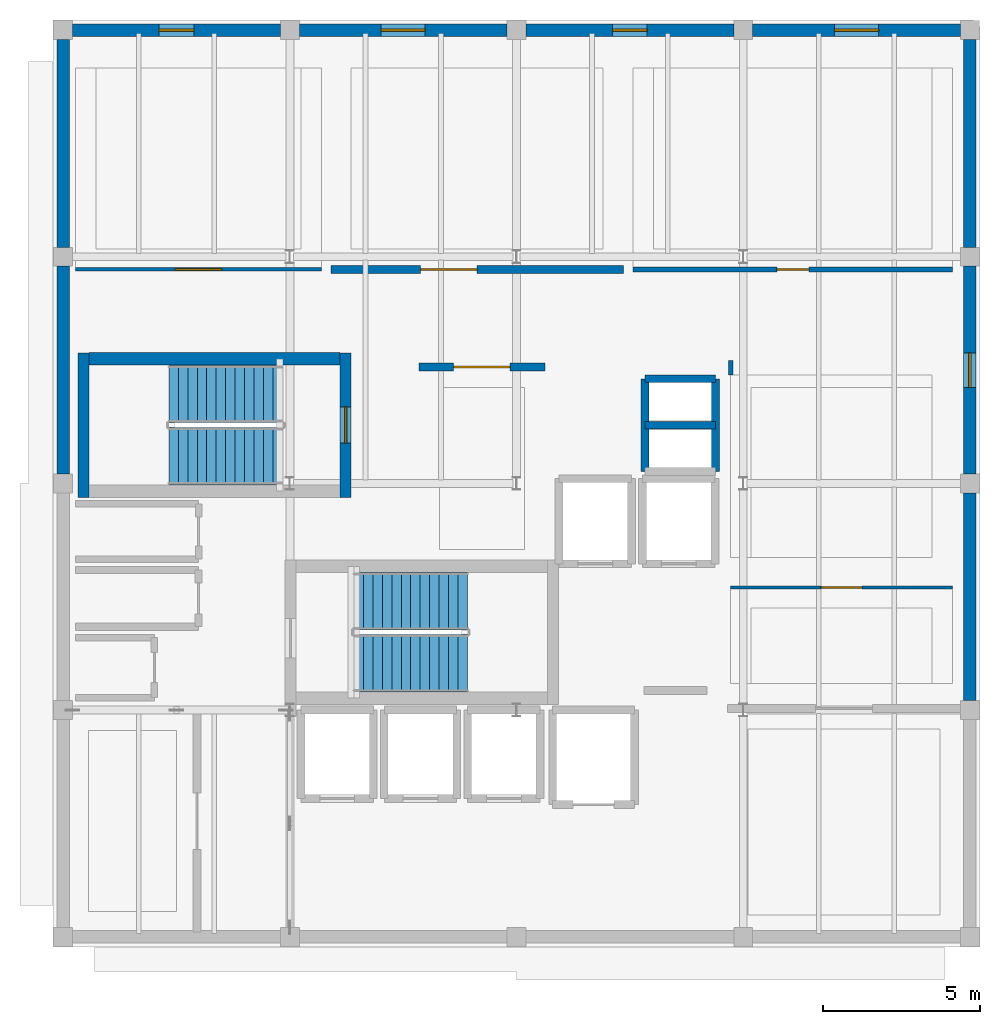
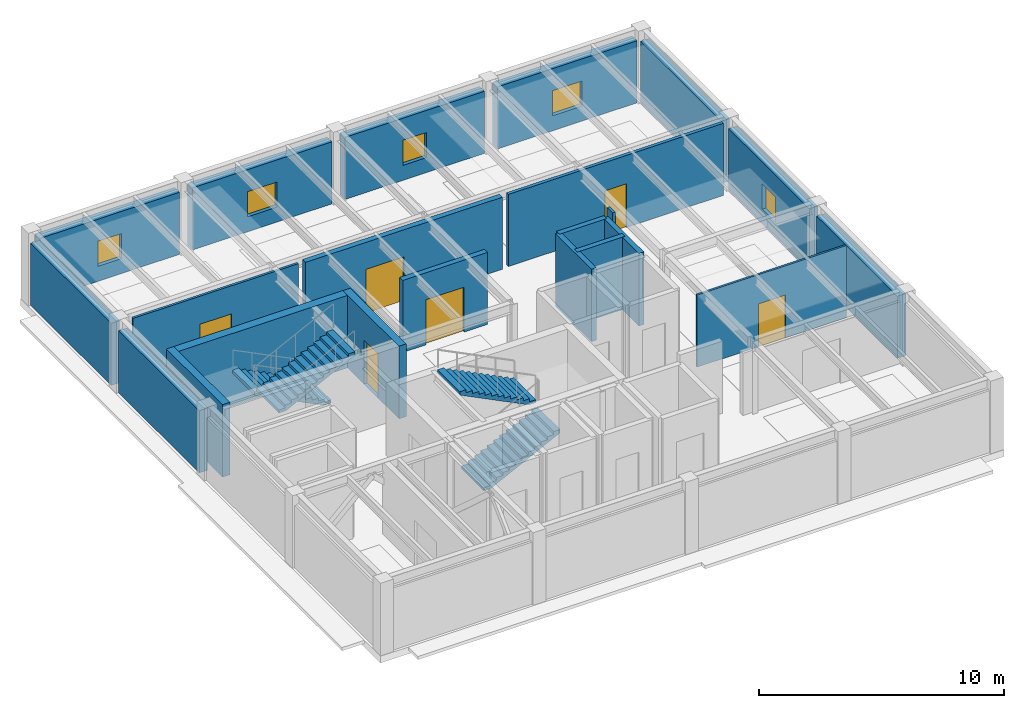
# One storey, part 5 of 8: 22 walls, 6 doors, 5 windows, 4 stair flights, 11 openings, 2 elements without a shape of their own.
"""IFC4 building model written with IfcOpenShell, lengths in metres."""

from ifc_helpers import new_model, si_unit, direction, frame, frame_2d, origin, place, context, subcontext, project, spatial, polyline, rectangle, outline, extrude, material, layer, layer_set, type_object, element, fill, aggregate, save


model = new_model("IFC4")

# Units and contexts
model_context = context("Model", 3, precision=1e-05, world=origin(), true_north=direction((0.0, 1.0)))
body_context = subcontext(model_context, "Body", "Model", "MODEL_VIEW")
ifc_project = project(units=[si_unit("LENGTHUNIT", "METRE"), si_unit("AREAUNIT", "SQUARE_METRE"), si_unit("VOLUMEUNIT", "CUBIC_METRE"), si_unit("PLANEANGLEUNIT", "RADIAN"), si_unit("MASSUNIT", "GRAM", prefix="KILO")], contexts=[model_context])

# Site, building, storey
site_placement = place(None, origin())
site = spatial("IfcSite", under=ifc_project, at=site_placement, CompositionType="ELEMENT")
building_placement = place(site_placement, origin())
building = spatial("IfcBuilding", under=site, at=building_placement, Name="Kandorven Conservatory and Botanical Research Centre", CompositionType="ELEMENT")
storey_placement = place(building_placement, frame((0.0, 0.0, 36.60009765625)))
storey = spatial("IfcBuildingStorey", under=building, at=storey_placement, Name="L09", CompositionType="ELEMENT", Elevation=36.60009765625)

# Wall
ifc_material_1 = material(Name="Concrete C40/50 (M50)", Category="concrete")
ifc_layer_1 = layer(ifc_material_1, 0.39990234375)
ifc_layer_set_1 = layer_set([ifc_layer_1], Name="Concrete C40/50 (M50)")
wall_type_1 = type_object("IfcWallType", Name="Wall_CW-RC-1", PredefinedType="SHEAR", material=ifc_layer_set_1)
wall_1_placement = place(storey_placement, frame((14.800048828125, 24.35498046875, 0.0), z_axis=(0.0, 0.0, 1.0), x_axis=(-1.0, 0.0, 0.0)))
element("IfcWall", 1, at=wall_1_placement, inside=storey, type_object=wall_type_1, Name="Core stair shear wall CW-RC-1 ST-T2 L09 side A", PredefinedType="SHEAR", context=body_context, shape_type="SweptSolid", body=[
    extrude(rectangle(XDim=7.97998046875, YDim=0.39990234375, at=frame_2d((3.989990234375, 0.0))), origin(), (0.0, 0.0, 1.0), 3.619873046875),
])

# Wall, opening, door
ifc_material_2 = material(Name="Concrete C40/50 (M50)", Category="concrete")
ifc_layer_2 = layer(ifc_material_2, 0.35009765625)
ifc_layer_set_2 = layer_set([ifc_layer_2], Name="Concrete C40/50 (M50)")
wall_type_2 = type_object("IfcWallType", Name="Wall_CW-RC-2", PredefinedType="SHEAR", material=ifc_layer_set_2)
wall_2_placement = place(storey_placement, frame((14.97509765625, 24.550048828125, 0.0), z_axis=(0.0, 0.0, 1.0), x_axis=(0.0, -1.0, 0.0)))
wall_2 = element("IfcWall", 2, at=wall_2_placement, inside=storey, type_object=wall_type_2, Name="Core stair shear wall CW-RC-2 ST-T2 L09 entry", PredefinedType="SHEAR", context=body_context, shape_type="SweptSolid", body=[
    extrude(rectangle(XDim=4.590087890625, YDim=0.35009765625, at=frame_2d((2.294921875, 0.0))), origin(), (0.0, 0.0, 1.0), 3.619873046875),
])
opening_1_placement = place(wall_2_placement, frame((1.719970703125, 0.0, 0.0)))
opening_1 = element("IfcOpeningElement", 3, at=opening_1_placement, cuts=wall_2, Name="Opening FD-2", PredefinedType="OPENING", context=body_context, shape_type="SweptSolid", body=[
    extrude(rectangle(XDim=1.14990234375, YDim=2.199951171875, at=frame_2d((0.574951171875, 1.10009765625))), frame((0.0, 0.18505859375, 0.0), z_axis=(0.0, -1.0, 0.0), x_axis=(1.0, 0.0, 0.0)), (0.0, 0.0, 1.0), 0.3701171875),
])
ifc_material_3 = material(Name="Galvanised hollow steel fire door assembly", Category="steel")
door_type_1 = type_object("IfcDoorType", Name="Door_FD-2", OperationType="NOTDEFINED", PredefinedType="DOOR", material=ifc_material_3)
door_1_placement = place(opening_1_placement, origin())
door_1 = element("IfcDoor", 4, at=door_1_placement, inside=storey, type_object=door_type_1, Name="Exit stair fire door FD-2 ST-T2 L09", OperationType="SINGLE_SWING_RIGHT", OverallHeight=2.199951171875, OverallWidth=1.14990234375, PredefinedType="DOOR", context=body_context, shape_type="SweptSolid", body=[
    extrude(rectangle(XDim=1.14990234375, YDim=2.199951171875, at=frame_2d((0.574951171875, 1.10009765625))), frame((0.0, 0.02490234375, 0.0), z_axis=(0.0, -1.0, 0.0), x_axis=(1.0, 0.0, 0.0)), (0.0, 0.0, 1.0), 0.050048828125),
])
fill(opening_1, door_1)

# Walls
wall_3_placement = place(storey_placement, frame((6.64501953125, 24.550048828125, 0.0), z_axis=(0.0, 0.0, 1.0), x_axis=(0.0, -1.0, 0.0)))
element("IfcWall", 5, at=wall_3_placement, inside=storey, type_object=wall_type_2, Name="Core stair shear wall CW-RC-2 ST-T2 L09 far", PredefinedType="SHEAR", context=body_context, shape_type="SweptSolid", body=[
    extrude(rectangle(XDim=4.590087890625, YDim=0.35009765625, at=frame_2d((2.294921875, 0.0))), origin(), (0.0, 0.0, 1.0), 3.619873046875),
])
for number, where, z_axis, x_axis, name in (
    (6, (24.47998046875, 22.25, 0.0), (0.0, 0.0, 1.0), (1.0, 0.0, 0.0), "Core MEP riser shaft wall CW-RC-2 L09 M"),
    (7, (24.47998046875, 23.719970703125, 0.0), (0.0, 0.0, 1.0), (1.0, 0.0, 0.0), "Core MEP riser shaft wall CW-RC-2 L09 N"),
):
    element("IfcWall", number, at=place(storey_placement, frame(where, z_axis=z_axis, x_axis=x_axis)), inside=storey, type_object=wall_type_2, Name=name, PredefinedType="SHEAR", context=body_context, shape_type="SweptSolid", body=[
        extrude(rectangle(XDim=2.239990234375, YDim=0.239990234375, at=frame_2d((1.1201171875, 0.0))), origin(), (0.0, 0.0, 1.0), 3.619873046875),
    ])
for number, where, z_axis, x_axis, name in (
    (8, (24.47998046875, 20.780029296875, 0.0), (0.0, 0.0, 1.0), (0.0, 1.0, 0.0), "Core MEP riser shaft wall CW-RC-2 L09 W"),
    (9, (26.719970703125, 20.780029296875, 0.0), (0.0, 0.0, 1.0), (0.0, 1.0, 0.0), "Core MEP riser shaft wall CW-RC-2 L09 E"),
):
    element("IfcWall", number, at=place(storey_placement, frame(where, z_axis=z_axis, x_axis=x_axis)), inside=storey, type_object=wall_type_2, Name=name, PredefinedType="SHEAR", context=body_context, shape_type="SweptSolid", body=[
        extrude(rectangle(XDim=2.93994140625, YDim=0.239990234375, at=frame_2d((1.469970703125, 0.0))), origin(), (0.0, 0.0, 1.0), 3.619873046875),
    ])

# Wall, opening, window
ifc_material_4 = material(Name="Concrete C40/50 (M50)", Category="concrete")
ifc_layer_3 = layer(ifc_material_4, 0.39990234375)
ifc_layer_set_3 = layer_set([ifc_layer_3], Name="Concrete C40/50 (M50)")
wall_type_3 = type_object("IfcWallType", Name="Wall_EW-HB-01", PredefinedType="STANDARD", material=ifc_layer_set_3)
wall_4_placement = place(storey_placement, frame((6.300048828125, 34.800048828125, 0.0), z_axis=(0.0, 0.0, 1.0), x_axis=(1.0, 0.0, 0.0)))
wall_4 = element("IfcWall", 10, at=wall_4_placement, inside=storey, type_object=wall_type_3, Name="Tower concrete facade wall EW-HB-01 N L09", PredefinedType="STANDARD", context=body_context, shape_type="SweptSolid", body=[
    extrude(rectangle(XDim=6.599853515625, YDim=0.39990234375, at=frame_2d((3.2998046875, 0.0))), origin(), (0.0, 0.0, 1.0), 3.099853515625),
])
opening_2_placement = place(wall_4_placement, frame((2.75, 0.0, 0.75)))
opening_2 = element("IfcOpeningElement", 11, at=opening_2_placement, cuts=wall_4, Name="Opening W-45", PredefinedType="OPENING", context=body_context, shape_type="SweptSolid", body=[
    extrude(rectangle(XDim=1.10009765625, YDim=1.25, at=frame_2d((0.550048828125, 0.625))), frame((0.0, 0.2099609375, 0.0), z_axis=(0.0, -1.0, 0.0), x_axis=(1.0, 0.0, 0.0)), (0.0, 0.0, 1.0), 0.419921875),
])
ifc_material_5 = material(Name="Double-glazed solar-control low-E glass", Category="glass")
window_type_1 = type_object("IfcWindowType", Name="Win_W-45", PartitioningType="DOUBLE_PANEL_VERTICAL", PredefinedType="WINDOW", material=ifc_material_5)
window_1_placement = place(opening_2_placement, origin())
window_1 = element("IfcWindow", 12, at=window_1_placement, inside=storey, type_object=window_type_1, Name="Tower recessed solar window W-45", OverallHeight=1.25, OverallWidth=1.10009765625, PartitioningType="SINGLE_PANEL", PredefinedType="WINDOW", context=body_context, shape_type="SweptSolid", body=[
    extrude(rectangle(XDim=1.10009765625, YDim=1.25, at=frame_2d((0.550048828125, 0.625))), frame((0.0, 0.030029296875, 0.0), z_axis=(0.0, -1.0, 0.0), x_axis=(1.0, 0.0, 0.0)), (0.0, 0.0, 1.0), 0.06005859375),
])
fill(opening_2, window_1)

wall_5_placement = place(storey_placement, frame((13.5, 34.800048828125, 0.0), z_axis=(0.0, 0.0, 1.0), x_axis=(1.0, 0.0, 0.0)))
wall_5 = element("IfcWall", 13, at=wall_5_placement, inside=storey, type_object=wall_type_3, Name="Tower concrete facade wall EW-HB-01 N L09", PredefinedType="STANDARD", context=body_context, shape_type="SweptSolid", body=[
    extrude(rectangle(XDim=6.60009765625, YDim=0.39990234375, at=frame_2d((3.300048828125, 0.0))), origin(), (0.0, 0.0, 1.0), 3.099853515625),
])
opening_3_placement = place(wall_5_placement, frame((2.60009765625, 0.0, 0.75)))
opening_3 = element("IfcOpeningElement", 14, at=opening_3_placement, cuts=wall_5, Name="Opening W-46", PredefinedType="OPENING", context=body_context, shape_type="SweptSolid", body=[
    extrude(rectangle(XDim=1.39990234375, YDim=1.25, at=frame_2d((0.699951171875, 0.625))), frame((0.0, 0.2099609375, 0.0), z_axis=(0.0, -1.0, 0.0), x_axis=(1.0, 0.0, 0.0)), (0.0, 0.0, 1.0), 0.419921875),
])
ifc_material_6 = material(Name="Double-glazed solar-control low-E glass", Category="glass")
window_type_2 = type_object("IfcWindowType", Name="Win_W-46", PartitioningType="DOUBLE_PANEL_VERTICAL", PredefinedType="WINDOW", material=ifc_material_6)
window_2_placement = place(opening_3_placement, origin())
window_2 = element("IfcWindow", 15, at=window_2_placement, inside=storey, type_object=window_type_2, Name="Tower recessed solar window W-46", OverallHeight=1.25, OverallWidth=1.39990234375, PartitioningType="SINGLE_PANEL", PredefinedType="WINDOW", context=body_context, shape_type="SweptSolid", body=[
    extrude(rectangle(XDim=1.39990234375, YDim=1.25, at=frame_2d((0.699951171875, 0.625))), frame((0.0, 0.030029296875, 0.0), z_axis=(0.0, -1.0, 0.0), x_axis=(1.0, 0.0, 0.0)), (0.0, 0.0, 1.0), 0.06005859375),
])
fill(opening_3, window_2)

wall_6_placement = place(storey_placement, frame((20.699951171875, 34.800048828125, 0.0), z_axis=(0.0, 0.0, 1.0), x_axis=(1.0, 0.0, 0.0)))
wall_6 = element("IfcWall", 16, at=wall_6_placement, inside=storey, type_object=wall_type_3, Name="Tower concrete facade wall EW-HB-01 N L09", PredefinedType="STANDARD", context=body_context, shape_type="SweptSolid", body=[
    extrude(rectangle(XDim=6.60009765625, YDim=0.39990234375, at=frame_2d((3.300048828125, 0.0))), origin(), (0.0, 0.0, 1.0), 3.099853515625),
])
opening_4_placement = place(wall_6_placement, frame((2.75, 0.0, 0.75)))
opening_4 = element("IfcOpeningElement", 17, at=opening_4_placement, cuts=wall_6, Name="Opening W-45", PredefinedType="OPENING", context=body_context, shape_type="SweptSolid", body=[
    extrude(rectangle(XDim=1.10009765625, YDim=1.25, at=frame_2d((0.550048828125, 0.625))), frame((0.0, 0.2099609375, 0.0), z_axis=(0.0, -1.0, 0.0), x_axis=(1.0, 0.0, 0.0)), (0.0, 0.0, 1.0), 0.419921875),
])
window_3_placement = place(opening_4_placement, origin())
window_3 = element("IfcWindow", 18, at=window_3_placement, inside=storey, type_object=window_type_1, Name="Tower recessed solar window W-45", OverallHeight=1.25, OverallWidth=1.10009765625, PartitioningType="SINGLE_PANEL", PredefinedType="WINDOW", context=body_context, shape_type="SweptSolid", body=[
    extrude(rectangle(XDim=1.10009765625, YDim=1.25, at=frame_2d((0.550048828125, 0.625))), frame((0.0, 0.030029296875, 0.0), z_axis=(0.0, -1.0, 0.0), x_axis=(1.0, 0.0, 0.0)), (0.0, 0.0, 1.0), 0.06005859375),
])
fill(opening_4, window_3)

wall_7_placement = place(storey_placement, frame((27.89990234375, 34.800048828125, 0.0), z_axis=(0.0, 0.0, 1.0), x_axis=(1.0, 0.0, 0.0)))
wall_7 = element("IfcWall", 19, at=wall_7_placement, inside=storey, type_object=wall_type_3, Name="Tower concrete facade wall EW-HB-01 N L09", PredefinedType="STANDARD", context=body_context, shape_type="SweptSolid", body=[
    extrude(rectangle(XDim=6.60009765625, YDim=0.39990234375, at=frame_2d((3.300048828125, 0.0))), origin(), (0.0, 0.0, 1.0), 3.099853515625),
])
opening_5_placement = place(wall_7_placement, frame((2.60009765625, 0.0, 0.75)))
opening_5 = element("IfcOpeningElement", 20, at=opening_5_placement, cuts=wall_7, Name="Opening W-46", PredefinedType="OPENING", context=body_context, shape_type="SweptSolid", body=[
    extrude(rectangle(XDim=1.39990234375, YDim=1.25, at=frame_2d((0.699951171875, 0.625))), frame((0.0, 0.2099609375, 0.0), z_axis=(0.0, -1.0, 0.0), x_axis=(1.0, 0.0, 0.0)), (0.0, 0.0, 1.0), 0.419921875),
])
window_4_placement = place(opening_5_placement, origin())
window_4 = element("IfcWindow", 21, at=window_4_placement, inside=storey, type_object=window_type_2, Name="Tower recessed solar window W-46", OverallHeight=1.25, OverallWidth=1.39990234375, PartitioningType="SINGLE_PANEL", PredefinedType="WINDOW", context=body_context, shape_type="SweptSolid", body=[
    extrude(rectangle(XDim=1.39990234375, YDim=1.25, at=frame_2d((0.699951171875, 0.625))), frame((0.0, 0.030029296875, 0.0), z_axis=(0.0, -1.0, 0.0), x_axis=(1.0, 0.0, 0.0)), (0.0, 0.0, 1.0), 0.06005859375),
])
fill(opening_5, window_4)

# Walls
for number, where, z_axis, x_axis, name in (
    (22, (6.0, 20.699951171875, 0.0), (0.0, 0.0, 1.0), (0.0, 1.0, 0.0), "Tower concrete facade wall EW-HB-01 W L09"),
    (23, (6.0, 27.89990234375, 0.0), (0.0, 0.0, 1.0), (0.0, 1.0, 0.0), "Tower concrete facade wall EW-HB-01 W L09"),
    (24, (34.800048828125, 13.5, 0.0), (0.0, 0.0, 1.0), (0.0, 1.0, 0.0), "Tower concrete facade wall EW-HB-01 E L09"),
):
    element("IfcWall", number, at=place(storey_placement, frame(where, z_axis=z_axis, x_axis=x_axis)), inside=storey, type_object=wall_type_3, Name=name, PredefinedType="STANDARD", context=body_context, shape_type="SweptSolid", body=[
        extrude(rectangle(XDim=6.60009765625, YDim=0.39990234375, at=frame_2d((3.300048828125, 0.0))), origin(), (0.0, 0.0, 1.0), 3.099853515625),
    ])

# Wall, opening, window
wall_8_placement = place(storey_placement, frame((34.800048828125, 20.699951171875, 0.0), z_axis=(0.0, 0.0, 1.0), x_axis=(0.0, 1.0, 0.0)))
wall_8 = element("IfcWall", 25, at=wall_8_placement, inside=storey, type_object=wall_type_3, Name="Tower concrete facade wall EW-HB-01 E L09", PredefinedType="STANDARD", context=body_context, shape_type="SweptSolid", body=[
    extrude(rectangle(XDim=6.60009765625, YDim=0.39990234375, at=frame_2d((3.300048828125, 0.0))), origin(), (0.0, 0.0, 1.0), 3.099853515625),
])
opening_6_placement = place(wall_8_placement, frame((2.75, 0.0, 0.75)))
opening_6 = element("IfcOpeningElement", 26, at=opening_6_placement, cuts=wall_8, Name="Opening W-45", PredefinedType="OPENING", context=body_context, shape_type="SweptSolid", body=[
    extrude(rectangle(XDim=1.10009765625, YDim=1.25, at=frame_2d((0.550048828125, 0.625))), frame((0.0, 0.2099609375, 0.0), z_axis=(0.0, -1.0, 0.0), x_axis=(1.0, 0.0, 0.0)), (0.0, 0.0, 1.0), 0.419921875),
])
window_5_placement = place(opening_6_placement, origin())
window_5 = element("IfcWindow", 27, at=window_5_placement, inside=storey, type_object=window_type_1, Name="Tower recessed solar window W-45", OverallHeight=1.25, OverallWidth=1.10009765625, PartitioningType="SINGLE_PANEL", PredefinedType="WINDOW", context=body_context, shape_type="SweptSolid", body=[
    extrude(rectangle(XDim=1.10009765625, YDim=1.25, at=frame_2d((0.550048828125, 0.625))), frame((0.0, 0.030029296875, 0.0), z_axis=(0.0, -1.0, 0.0), x_axis=(1.0, 0.0, 0.0)), (0.0, 0.0, 1.0), 0.06005859375),
])
fill(opening_6, window_5)

# Wall
wall_9_placement = place(storey_placement, frame((34.800048828125, 27.89990234375, 0.0), z_axis=(0.0, 0.0, 1.0), x_axis=(0.0, 1.0, 0.0)))
element("IfcWall", 28, at=wall_9_placement, inside=storey, type_object=wall_type_3, Name="Tower concrete facade wall EW-HB-01 E L09", PredefinedType="STANDARD", context=body_context, shape_type="SweptSolid", body=[
    extrude(rectangle(XDim=6.60009765625, YDim=0.39990234375, at=frame_2d((3.300048828125, 0.0))), origin(), (0.0, 0.0, 1.0), 3.099853515625),
])

# Wall, opening, door
ifc_material_7 = material(Name="Fire-rated acoustic gypsum board partition", Category="gypsum")
ifc_layer_4 = layer(ifc_material_7, 0.10009765625)
ifc_layer_set_4 = layer_set([ifc_layer_4], Name="Fire-rated acoustic gypsum board partition")
wall_type_4 = type_object("IfcWallType", Name="Wall_IW-10", PredefinedType="PARTITIONING", material=ifc_layer_set_4)
wall_10_placement = place(storey_placement, frame((27.199951171875, 17.10009765625, 0.0), z_axis=(0.0, 0.0, 1.0), x_axis=(1.0, 0.0, 0.0)))
wall_10 = element("IfcWall", 29, at=wall_10_placement, inside=storey, type_object=wall_type_4, Name="Interior partition wall IW-10 (Flora Taxonomy Microscopy Laboratory L09)", PredefinedType="PARTITIONING", context=body_context, shape_type="SweptSolid", body=[
    extrude(rectangle(XDim=7.050048828125, YDim=0.10009765625, at=frame_2d((3.52490234375, 0.0))), origin(), (0.0, 0.0, 1.0), 3.599853515625),
])
opening_7_placement = place(wall_10_placement, frame((2.885009765625, 0.0, 0.0)))
opening_7 = element("IfcOpeningElement", 30, at=opening_7_placement, cuts=wall_10, Name="Opening D-15", PredefinedType="OPENING", context=body_context, shape_type="SweptSolid", body=[
    extrude(rectangle(XDim=1.280029296875, YDim=2.14990234375, at=frame_2d((0.64013671875, 1.074951171875))), frame((0.0, 0.06005859375, 0.0), z_axis=(0.0, -1.0, 0.0), x_axis=(1.0, 0.0, 0.0)), (0.0, 0.0, 1.0), 0.1201171875),
])
ifc_material_8 = material(Name="Solid core acoustic teak-veneered timber leaf", Category="wood")
door_type_2 = type_object("IfcDoorType", Name="Door_D-15", OperationType="NOTDEFINED", PredefinedType="DOOR", material=ifc_material_8)
door_2_placement = place(opening_7_placement, origin())
door_2 = element("IfcDoor", 31, at=door_2_placement, inside=storey, type_object=door_type_2, Name="Interior door D-15 to Flora Taxonomy Microscopy Laboratory L09", OperationType="SINGLE_SWING_LEFT", OverallHeight=2.14990234375, OverallWidth=1.280029296875, PredefinedType="DOOR", context=body_context, shape_type="SweptSolid", body=[
    extrude(rectangle(XDim=1.280029296875, YDim=2.14990234375, at=frame_2d((0.64013671875, 1.074951171875))), frame((0.0, 0.02490234375, 0.0), z_axis=(0.0, -1.0, 0.0), x_axis=(1.0, 0.0, 0.0)), (0.0, 0.0, 1.0), 0.050048828125),
])
fill(opening_7, door_2)

ifc_material_9 = material(Name="Fire-rated acoustic gypsum board partition", Category="gypsum")
ifc_layer_5 = layer(ifc_material_9, 0.114013671875)
ifc_layer_set_5 = layer_set([ifc_layer_5], Name="Fire-rated acoustic gypsum board partition")
wall_type_5 = type_object("IfcWallType", Name="Wall_IW-12", PredefinedType="PARTITIONING", material=ifc_layer_set_5)
wall_11_placement = place(storey_placement, frame((6.39990234375, 27.199951171875, 0.0), z_axis=(0.0, 0.0, 1.0), x_axis=(1.0, 0.0, 0.0)))
wall_11 = element("IfcWall", 32, at=wall_11_placement, inside=storey, type_object=wall_type_5, Name="Interior partition wall IW-12 (Ethnobotany Field Specimen Studio L09)", PredefinedType="PARTITIONING", context=body_context, shape_type="SweptSolid", body=[
    extrude(rectangle(XDim=7.800048828125, YDim=0.114013671875, at=frame_2d((3.89990234375, 0.0))), origin(), (0.0, 0.0, 1.0), 3.599853515625),
])
opening_8_placement = place(wall_11_placement, frame((3.159912109375, 0.0, 0.0)))
opening_8 = element("IfcOpeningElement", 33, at=opening_8_placement, cuts=wall_11, Name="Opening D-17", PredefinedType="OPENING", context=body_context, shape_type="SweptSolid", body=[
    extrude(rectangle(XDim=1.47998046875, YDim=2.199951171875, at=frame_2d((0.739990234375, 1.10009765625))), frame((0.0, 0.06689453125, 0.0), z_axis=(0.0, -1.0, 0.0), x_axis=(1.0, 0.0, 0.0)), (0.0, 0.0, 1.0), 0.134033203125),
])
ifc_material_10 = material(Name="Solid core acoustic teak-veneered timber leaf", Category="wood")
door_type_3 = type_object("IfcDoorType", Name="Door_D-17", OperationType="NOTDEFINED", PredefinedType="DOOR", material=ifc_material_10)
door_3_placement = place(opening_8_placement, frame((1.47998046875, 0.0, 0.0), z_axis=(0.0, 0.0, 1.0), x_axis=(-1.0, 0.0, 0.0)))
door_3 = element("IfcDoor", 34, at=door_3_placement, inside=storey, type_object=door_type_3, Name="Interior door D-17 to Ethnobotany Field Specimen Studio L09", OperationType="SINGLE_SWING_LEFT", OverallHeight=2.199951171875, OverallWidth=1.47998046875, PredefinedType="DOOR", context=body_context, shape_type="SweptSolid", body=[
    extrude(rectangle(XDim=1.47998046875, YDim=2.199951171875, at=frame_2d((0.739990234375, 1.10009765625))), frame((0.0, 0.02490234375, 0.0), z_axis=(0.0, -1.0, 0.0), x_axis=(1.0, 0.0, 0.0)), (0.0, 0.0, 1.0), 0.050048828125),
])
fill(opening_8, door_3)

# Wall
ifc_material_11 = material(Name="Fire-rated acoustic gypsum board partition", Category="gypsum")
ifc_layer_6 = layer(ifc_material_11, 0.135986328125)
ifc_layer_set_6 = layer_set([ifc_layer_6], Name="Fire-rated acoustic gypsum board partition")
wall_type_6 = type_object("IfcWallType", Name="Wall_IW-14", PredefinedType="PARTITIONING", material=ifc_layer_set_6)
wall_12_placement = place(storey_placement, frame((27.199951171875, 24.300048828125, 0.0), z_axis=(0.0, 0.0, 1.0), x_axis=(0.0, -1.0, 0.0)))
element("IfcWall", 35, at=wall_12_placement, inside=storey, type_object=wall_type_6, Name="Interior partition wall IW-14 (Herbarium Digitisation and Imaging Studio L09)", PredefinedType="PARTITIONING", context=body_context, shape_type="SweptSolid", body=[
    extrude(rectangle(XDim=0.449951171875, YDim=0.135986328125, at=frame_2d((0.22509765625, 0.0))), origin(), (0.0, 0.0, 1.0), 3.599853515625),
])

# Wall, opening, door
ifc_material_12 = material(Name="Autoclaved aerated concrete blockwork masonry", Category="masonry")
ifc_layer_7 = layer(ifc_material_12, 0.157958984375)
ifc_layer_set_7 = layer_set([ifc_layer_7], Name="Autoclaved aerated concrete blockwork masonry")
wall_type_7 = type_object("IfcWallType", Name="Wall_IW-16", PredefinedType="PARTITIONING", material=ifc_layer_set_7)
wall_13_placement = place(storey_placement, frame((24.10009765625, 27.199951171875, 0.0), z_axis=(0.0, 0.0, 1.0), x_axis=(1.0, 0.0, 0.0)))
wall_13 = element("IfcWall", 36, at=wall_13_placement, inside=storey, type_object=wall_type_7, Name="Interior partition wall IW-16 (Palynology Research Laboratory L09)", PredefinedType="PARTITIONING", context=body_context, shape_type="SweptSolid", body=[
    extrude(rectangle(XDim=10.14990234375, YDim=0.157958984375, at=frame_2d((5.074951171875, 0.0))), origin(), (0.0, 0.0, 1.0), 3.599853515625),
])
opening_9_placement = place(wall_13_placement, frame((4.56494140625, 0.0, 0.0)))
opening_9 = element("IfcOpeningElement", 37, at=opening_9_placement, cuts=wall_13, Name="Opening D-21", PredefinedType="OPENING", context=body_context, shape_type="SweptSolid", body=[
    extrude(rectangle(XDim=1.02001953125, YDim=2.179931640625, at=frame_2d((0.510009765625, 1.08984375))), frame((0.0, 0.0888671875, 0.0), z_axis=(0.0, -1.0, 0.0), x_axis=(1.0, 0.0, 0.0)), (0.0, 0.0, 1.0), 0.177978515625),
])
ifc_material_13 = material(Name="Solid core acoustic teak-veneered timber leaf", Category="wood")
door_type_4 = type_object("IfcDoorType", Name="Door_D-21", OperationType="NOTDEFINED", PredefinedType="DOOR", material=ifc_material_13)
door_4_placement = place(opening_9_placement, origin())
door_4 = element("IfcDoor", 38, at=door_4_placement, inside=storey, type_object=door_type_4, Name="Interior door D-21 to Palynology Research Laboratory L09", OperationType="SINGLE_SWING_LEFT", OverallHeight=2.179931640625, OverallWidth=1.02001953125, PredefinedType="DOOR", context=body_context, shape_type="SweptSolid", body=[
    extrude(rectangle(XDim=1.02001953125, YDim=2.179931640625, at=frame_2d((0.510009765625, 1.08984375))), frame((0.0, 0.02490234375, 0.0), z_axis=(0.0, -1.0, 0.0), x_axis=(1.0, 0.0, 0.0)), (0.0, 0.0, 1.0), 0.050048828125),
])
fill(opening_9, door_4)

ifc_material_14 = material(Name="Concrete C32/40 (M40)", Category="concrete")
ifc_layer_8 = layer(ifc_material_14, 0.25)
ifc_layer_set_8 = layer_set([ifc_layer_8], Name="Concrete C32/40 (M40)")
wall_type_8 = type_object("IfcWallType", Name="Wall_IW-FR-1", PredefinedType="SOLIDWALL", material=ifc_layer_set_8)
wall_14_placement = place(storey_placement, frame((17.300048828125, 24.10009765625, 0.0), z_axis=(0.0, 0.0, 1.0), x_axis=(1.0, 0.0, 0.0)))
wall_14 = element("IfcWall", 39, at=wall_14_placement, inside=storey, type_object=wall_type_8, Name="Interior fire partition wall IW-FR-1 (Herbarium Bryophyte Collection Vault L09)", PredefinedType="SOLIDWALL", context=body_context, shape_type="SweptSolid", body=[
    extrude(rectangle(XDim=4.0, YDim=0.25, at=frame_2d((2.0, 0.0))), origin(), (0.0, 0.0, 1.0), 3.599853515625),
])
opening_10_placement = place(wall_14_placement, frame((1.10009765625, 0.0, 0.0)))
opening_10 = element("IfcOpeningElement", 40, at=opening_10_placement, cuts=wall_14, Name="Opening FD-4", PredefinedType="OPENING", context=body_context, shape_type="SweptSolid", body=[
    extrude(rectangle(XDim=1.800048828125, YDim=2.25, at=frame_2d((0.89990234375, 1.125))), frame((0.0, 0.135009765625, 0.0), z_axis=(0.0, -1.0, 0.0), x_axis=(1.0, 0.0, 0.0)), (0.0, 0.0, 1.0), 0.27001953125),
])
ifc_material_15 = material(Name="Galvanised hollow steel fire door assembly", Category="steel")
door_type_5 = type_object("IfcDoorType", Name="Door_FD-4", OperationType="NOTDEFINED", PredefinedType="DOOR", material=ifc_material_15)
door_5_placement = place(opening_10_placement, frame((1.800048828125, 0.0, 0.0), z_axis=(0.0, 0.0, 1.0), x_axis=(-1.0, 0.0, 0.0)))
door_5 = element("IfcDoor", 41, at=door_5_placement, inside=storey, type_object=door_type_5, Name="Interior door FD-4 to Herbarium Bryophyte Collection Vault L09", OperationType="DOUBLE_DOOR_SINGLE_SWING", OverallHeight=2.25, OverallWidth=1.800048828125, PredefinedType="DOOR", context=body_context, shape_type="SweptSolid", body=[
    extrude(rectangle(XDim=1.800048828125, YDim=2.25, at=frame_2d((0.89990234375, 1.125))), frame((0.0, 0.02490234375, 0.0), z_axis=(0.0, -1.0, 0.0), x_axis=(1.0, 0.0, 0.0)), (0.0, 0.0, 1.0), 0.050048828125),
])
fill(opening_10, door_5)

wall_15_placement = place(storey_placement, frame((14.5, 27.199951171875, 0.0), z_axis=(0.0, 0.0, 1.0), x_axis=(1.0, 0.0, 0.0)))
wall_15 = element("IfcWall", 42, at=wall_15_placement, inside=storey, type_object=wall_type_8, Name="Interior fire partition wall IW-FR-1 (Herbarium Cryptogamic Collection Archive L09)", PredefinedType="SOLIDWALL", context=body_context, shape_type="SweptSolid", body=[
    extrude(rectangle(XDim=9.300048828125, YDim=0.25, at=frame_2d((4.64990234375, 0.0))), origin(), (0.0, 0.0, 1.0), 3.599853515625),
])
opening_11_placement = place(wall_15_placement, frame((2.85009765625, 0.0, 0.0)))
opening_11 = element("IfcOpeningElement", 43, at=opening_11_placement, cuts=wall_15, Name="Opening FD-4", PredefinedType="OPENING", context=body_context, shape_type="SweptSolid", body=[
    extrude(rectangle(XDim=1.800048828125, YDim=2.25, at=frame_2d((0.89990234375, 1.125))), frame((0.0, 0.135009765625, 0.0), z_axis=(0.0, -1.0, 0.0), x_axis=(1.0, 0.0, 0.0)), (0.0, 0.0, 1.0), 0.27001953125),
])
door_6_placement = place(opening_11_placement, frame((1.800048828125, 0.0, 0.0), z_axis=(0.0, 0.0, 1.0), x_axis=(-1.0, 0.0, 0.0)))
door_6 = element("IfcDoor", 44, at=door_6_placement, inside=storey, type_object=door_type_5, Name="Interior door FD-4 to Herbarium Cryptogamic Collection Archive L09", OperationType="DOUBLE_DOOR_SINGLE_SWING", OverallHeight=2.25, OverallWidth=1.800048828125, PredefinedType="DOOR", context=body_context, shape_type="SweptSolid", body=[
    extrude(rectangle(XDim=1.800048828125, YDim=2.25, at=frame_2d((0.89990234375, 1.125))), frame((0.0, 0.02490234375, 0.0), z_axis=(0.0, -1.0, 0.0), x_axis=(1.0, 0.0, 0.0)), (0.0, 0.0, 1.0), 0.050048828125),
])
fill(opening_11, door_6)

# Stair, stair flights
ifc_material_16 = material(Name="Concrete C32/40 (M40)", Category="concrete")
stair_type = type_object("IfcStairType", Name="Stair_1820", PredefinedType="HALF_TURN_STAIR", material=ifc_material_16)
stair_1_placement = place(storey_placement, origin())
stair_1 = element("IfcStair", 45, at=stair_1_placement, inside=storey, type_object=stair_type, Name="L09 Tower Fire Stair ST-T1", PredefinedType="HALF_TURN_STAIR")
ifc_material_17 = material(Name="Concrete C32/40 (M40)", Category="concrete")
ifc_layer_9 = layer(ifc_material_17, 0.14990234375)
ifc_layer_set_9 = layer_set([ifc_layer_9], Name="Concrete C32/40 (M40)")
stair_flight_type = type_object("IfcStairFlightType", Name="Flight_1820", PredefinedType="STRAIGHT", material=ifc_layer_set_9)
stair_flight_1_placement = place(storey_placement, frame((15.239990234375, 14.68994140625, 0.0), z_axis=(0.0, 0.0, 1.0), x_axis=(1.0, 0.0, 0.0)))
stair_flight_1 = element("IfcStairFlight", 46, at=stair_flight_1_placement, type_object=stair_flight_type, Name="ST-T1 flight 1", NumberOfRisers=13, NumberOfTreads=12, PredefinedType="STRAIGHT", RiserHeight=0.15, TreadLength=0.3, context=body_context, shape_type="SweptSolid", body=[
    extrude(outline(polyline([(0.0, 0.0), (0.0, 0.14990234375), (0.300048828125, 0.14990234375), (0.300048828125, 0.300048828125), (0.60009765625, 0.300048828125), (0.60009765625, 0.449951171875), (0.89990234375, 0.449951171875), (0.89990234375, 0.60009765625), (1.199951171875, 0.60009765625), (1.199951171875, 0.75), (1.5, 0.75), (1.5, 0.89990234375), (1.800048828125, 0.89990234375), (1.800048828125, 1.050048828125), (2.10009765625, 1.050048828125), (2.10009765625, 1.199951171875), (2.39990234375, 1.199951171875), (2.39990234375, 1.35009765625), (2.699951171875, 1.35009765625), (2.699951171875, 1.5), (3.0, 1.5), (3.0, 1.64990234375), (3.300048828125, 1.64990234375), (3.300048828125, 1.800048828125), (3.60009765625, 1.800048828125), (3.60009765625, 1.949951171875), (3.60009765625, 1.63232421875), (0.335205078125, 0.0), (0.0, 0.0)])), frame((0.0, 0.91015625, 0.0), z_axis=(0.0, -1.0, 0.0), x_axis=(1.0, 0.0, 0.0)), (0.0, 0.0, 1.0), 1.820068359375),
])
stair_flight_2_placement = place(storey_placement, frame((18.839599609375, 16.659912109375, 1.949951171875), z_axis=(0.0, 0.0, 1.0), x_axis=(-1.0, 0.0, 0.0)))
stair_flight_2 = element("IfcStairFlight", 47, at=stair_flight_2_placement, type_object=stair_flight_type, Name="ST-T1 flight 2", NumberOfRisers=13, NumberOfTreads=12, PredefinedType="STRAIGHT", RiserHeight=0.15, TreadLength=0.3, context=body_context, shape_type="SweptSolid", body=[
    extrude(outline(polyline([(0.0, 0.0), (0.0, 0.14990234375), (0.300048828125, 0.14990234375), (0.300048828125, 0.300048828125), (0.60009765625, 0.300048828125), (0.60009765625, 0.449951171875), (0.89990234375, 0.449951171875), (0.89990234375, 0.60009765625), (1.199951171875, 0.60009765625), (1.199951171875, 0.75), (1.5, 0.75), (1.5, 0.89990234375), (1.800048828125, 0.89990234375), (1.800048828125, 1.050048828125), (2.10009765625, 1.050048828125), (2.10009765625, 1.199951171875), (2.39990234375, 1.199951171875), (2.39990234375, 1.35009765625), (2.699951171875, 1.35009765625), (2.699951171875, 1.5), (3.0, 1.5), (3.0, 1.64990234375), (3.300048828125, 1.64990234375), (3.300048828125, 1.800048828125), (3.60009765625, 1.800048828125), (3.60009765625, 1.949951171875), (3.60009765625, 1.63232421875), (0.335205078125, 0.0), (0.0, 0.0)])), frame((0.0, 0.91015625, 0.0), z_axis=(0.0, -1.0, 0.0), x_axis=(1.0, 0.0, 0.0)), (0.0, 0.0, 1.0), 1.820068359375),
])
aggregate(stair_1, [stair_flight_1, stair_flight_2])

stair_2_placement = place(storey_placement, origin())
stair_2 = element("IfcStair", 48, at=stair_2_placement, inside=storey, type_object=stair_type, Name="L09 Tower Fire Stair ST-T2", PredefinedType="HALF_TURN_STAIR")
stair_flight_3_placement = place(storey_placement, frame((12.9599609375, 23.239990234375, 0.0), z_axis=(0.0, 0.0, 1.0), x_axis=(-1.0, 0.0, 0.0)))
stair_flight_3 = element("IfcStairFlight", 49, at=stair_flight_3_placement, type_object=stair_flight_type, Name="ST-T2 flight 1", NumberOfRisers=13, NumberOfTreads=12, PredefinedType="STRAIGHT", RiserHeight=0.15, TreadLength=0.3, context=body_context, shape_type="SweptSolid", body=[
    extrude(outline(polyline([(0.0, 0.0), (0.0, 0.14990234375), (0.300048828125, 0.14990234375), (0.300048828125, 0.300048828125), (0.60009765625, 0.300048828125), (0.60009765625, 0.449951171875), (0.89990234375, 0.449951171875), (0.89990234375, 0.60009765625), (1.199951171875, 0.60009765625), (1.199951171875, 0.75), (1.5, 0.75), (1.5, 0.89990234375), (1.800048828125, 0.89990234375), (1.800048828125, 1.050048828125), (2.10009765625, 1.050048828125), (2.10009765625, 1.199951171875), (2.39990234375, 1.199951171875), (2.39990234375, 1.35009765625), (2.699951171875, 1.35009765625), (2.699951171875, 1.5), (3.0, 1.5), (3.0, 1.64990234375), (3.300048828125, 1.64990234375), (3.300048828125, 1.800048828125), (3.60009765625, 1.800048828125), (3.60009765625, 1.949951171875), (3.60009765625, 1.63232421875), (0.335205078125, 0.0), (0.0, 0.0)])), frame((0.0, 0.91015625, 0.0), z_axis=(0.0, -1.0, 0.0), x_axis=(1.0, 0.0, 0.0)), (0.0, 0.0, 1.0), 1.820068359375),
])
stair_flight_4_placement = place(storey_placement, frame((9.360595703125, 21.27001953125, 1.949951171875), z_axis=(0.0, 0.0, 1.0), x_axis=(1.0, 0.0, 0.0)))
stair_flight_4 = element("IfcStairFlight", 50, at=stair_flight_4_placement, type_object=stair_flight_type, Name="ST-T2 flight 2", NumberOfRisers=13, NumberOfTreads=12, PredefinedType="STRAIGHT", RiserHeight=0.15, TreadLength=0.3, context=body_context, shape_type="SweptSolid", body=[
    extrude(outline(polyline([(0.0, 0.0), (0.0, 0.14990234375), (0.300048828125, 0.14990234375), (0.300048828125, 0.300048828125), (0.60009765625, 0.300048828125), (0.60009765625, 0.449951171875), (0.89990234375, 0.449951171875), (0.89990234375, 0.60009765625), (1.199951171875, 0.60009765625), (1.199951171875, 0.75), (1.5, 0.75), (1.5, 0.89990234375), (1.800048828125, 0.89990234375), (1.800048828125, 1.050048828125), (2.10009765625, 1.050048828125), (2.10009765625, 1.199951171875), (2.39990234375, 1.199951171875), (2.39990234375, 1.35009765625), (2.699951171875, 1.35009765625), (2.699951171875, 1.5), (3.0, 1.5), (3.0, 1.64990234375), (3.300048828125, 1.64990234375), (3.300048828125, 1.800048828125), (3.60009765625, 1.800048828125), (3.60009765625, 1.949951171875), (3.60009765625, 1.63232421875), (0.335205078125, 0.0), (0.0, 0.0)])), frame((0.0, 0.91015625, 0.0), z_axis=(0.0, -1.0, 0.0), x_axis=(1.0, 0.0, 0.0)), (0.0, 0.0, 1.0), 1.820068359375),
])
aggregate(stair_2, [stair_flight_3, stair_flight_4])

save(model, "model.ifc")
